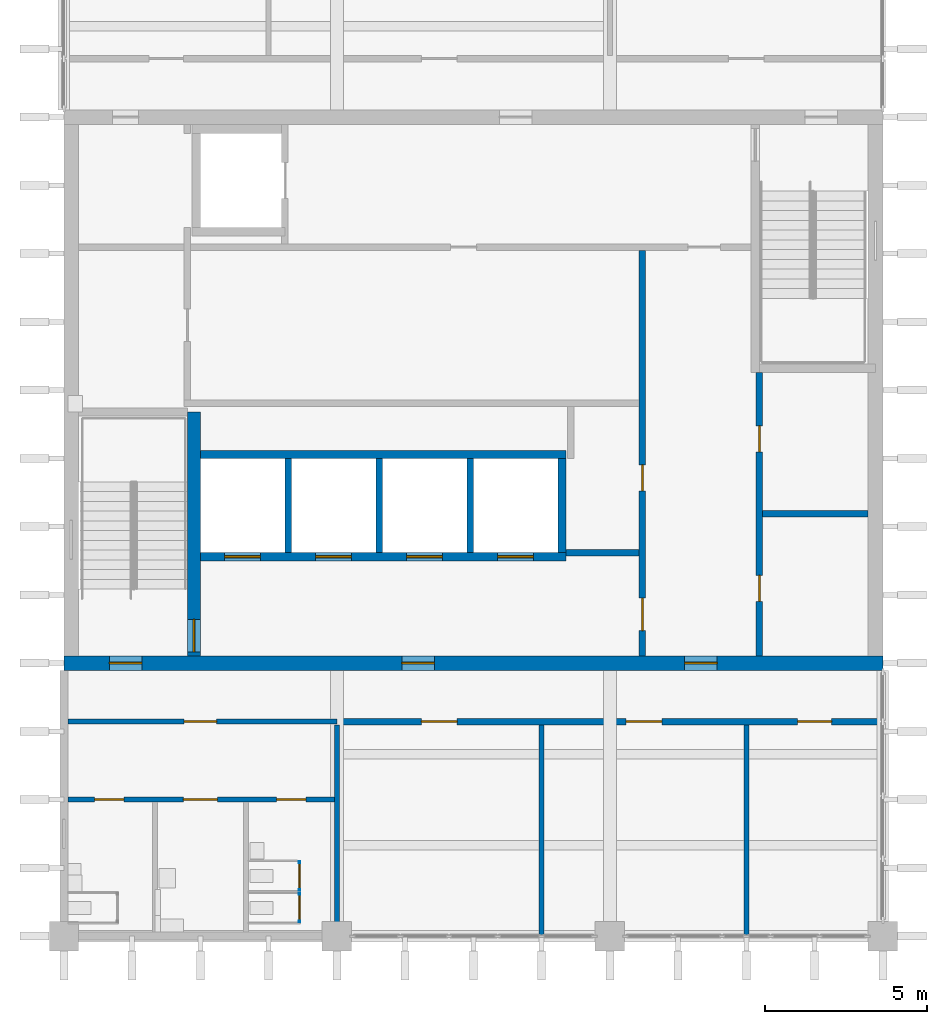
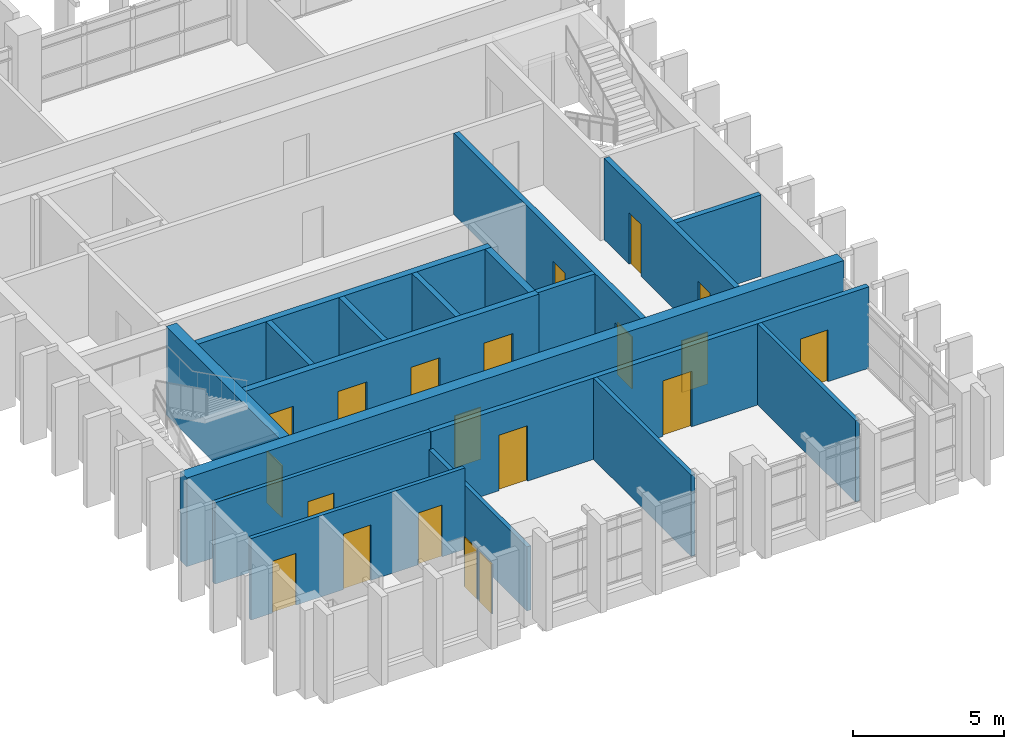
# One storey, part 7 of 11: 21 doors, 20 walls, 21 openings.
"""IFC4 building model written with IfcOpenShell, lengths in metres."""

from ifc_helpers import new_model, si_unit, direction, frame, frame_2d, origin, place, context, subcontext, project, spatial, rectangle, extrude, material, layer, layer_set, type_object, element, fill, save


model = new_model("IFC4")

# Units and contexts
model_context = context("Model", 3, precision=1e-05, world=origin(), true_north=direction((0.0, 1.0)))
body_context = subcontext(model_context, "Body", "Model", "MODEL_VIEW")
ifc_project = project(units=[si_unit("LENGTHUNIT", "METRE"), si_unit("AREAUNIT", "SQUARE_METRE"), si_unit("VOLUMEUNIT", "CUBIC_METRE"), si_unit("PLANEANGLEUNIT", "RADIAN"), si_unit("MASSUNIT", "GRAM", prefix="KILO")], contexts=[model_context])

# Site, building, storey
site_placement = place(None, origin())
site = spatial("IfcSite", under=ifc_project, at=site_placement, CompositionType="ELEMENT")
building_placement = place(site_placement, origin())
building = spatial("IfcBuilding", under=site, at=building_placement, Name="Rulbaag Community and Learning Centre", CompositionType="ELEMENT")
storey_placement = place(building_placement, frame((0.0, 0.0, 32.39990234375)))
storey = spatial("IfcBuildingStorey", under=building, at=storey_placement, Name="L08", CompositionType="ELEMENT", Elevation=32.39990234375)

# Wall, opening, door
ifc_material_1 = material(Name="High pressure laminate", Category="wood")
ifc_layer_1 = layer(ifc_material_1, 0.0400390625)
ifc_layer_set_1 = layer_set([ifc_layer_1], Name="CP-40")
wall_type_1 = type_object("IfcWallType", Name="CP-40", PredefinedType="PARTITIONING", material=ifc_layer_set_1)
wall_1_placement = place(storey_placement, frame((150.050048828125, 84.419921875, 0.0), z_axis=(0.0, 0.0, 1.0), x_axis=(0.0, 1.0, 0.0)))
wall_1 = element("IfcWall", 1, at=wall_1_placement, inside=storey, type_object=wall_type_1, Name="Cubicle partition", PredefinedType="PARTITIONING", context=body_context, shape_type="SweptSolid", body=[
    extrude(rectangle(XDim=0.900146484375, YDim=0.0400390625, at=frame_2d((0.4501953125, 0.0))), origin(), (0.0, 0.0, 1.0), 2.0),
])
opening_1_placement = place(wall_1_placement, frame((0.050048828125, 0.0, 0.0)))
opening_1 = element("IfcOpeningElement", 2, at=opening_1_placement, cuts=wall_1, Name="Opening L08-D013", PredefinedType="OPENING", context=body_context, shape_type="SweptSolid", body=[
    extrude(rectangle(XDim=0.800048828125, YDim=2.0, at=frame_2d((0.39990234375, 1.0))), frame((0.0, 0.030029296875, 0.0), z_axis=(0.0, -1.0, 0.0), x_axis=(1.0, 0.0, 0.0)), (0.0, 0.0, 1.0), 0.06005859375),
])
door_type_1 = type_object("IfcDoorType", Name="DC-80", OperationType="SINGLE_SWING_LEFT", PredefinedType="DOOR", material=ifc_material_1)
door_1_placement = place(opening_1_placement, origin())
door_1 = element("IfcDoor", 3, at=door_1_placement, inside=storey, type_object=door_type_1, Name="Cubicle door", OperationType="SINGLE_SWING_LEFT", OverallHeight=2.0, OverallWidth=0.800048828125, PredefinedType="DOOR", context=body_context, shape_type="SweptSolid", body=[
    extrude(rectangle(XDim=0.800048828125, YDim=2.0, at=frame_2d((0.39990234375, 1.0))), frame((0.0, 0.019775390625, 0.0), z_axis=(0.0, -1.0, 0.0), x_axis=(1.0, 0.0, 0.0)), (0.0, 0.0, 1.0), 0.03955078125),
])
fill(opening_1, door_1)

wall_2_placement = place(storey_placement, frame((150.050048828125, 85.39990234375, 0.0), z_axis=(0.0, 0.0, 1.0), x_axis=(0.0, 1.0, 0.0)))
wall_2 = element("IfcWall", 4, at=wall_2_placement, inside=storey, type_object=wall_type_1, Name="Cubicle partition", PredefinedType="PARTITIONING", context=body_context, shape_type="SweptSolid", body=[
    extrude(rectangle(XDim=0.900146484375, YDim=0.0400390625, at=frame_2d((0.4501953125, 0.0))), origin(), (0.0, 0.0, 1.0), 2.0),
])
opening_2_placement = place(wall_2_placement, frame((0.050048828125, 0.0, 0.0)))
opening_2 = element("IfcOpeningElement", 5, at=opening_2_placement, cuts=wall_2, Name="Opening L08-D014", PredefinedType="OPENING", context=body_context, shape_type="SweptSolid", body=[
    extrude(rectangle(XDim=0.800048828125, YDim=2.0, at=frame_2d((0.39990234375, 1.0))), frame((0.0, 0.030029296875, 0.0), z_axis=(0.0, -1.0, 0.0), x_axis=(1.0, 0.0, 0.0)), (0.0, 0.0, 1.0), 0.06005859375),
])
door_2_placement = place(opening_2_placement, origin())
door_2 = element("IfcDoor", 6, at=door_2_placement, inside=storey, type_object=door_type_1, Name="Cubicle door", OperationType="SINGLE_SWING_LEFT", OverallHeight=2.0, OverallWidth=0.800048828125, PredefinedType="DOOR", context=body_context, shape_type="SweptSolid", body=[
    extrude(rectangle(XDim=0.800048828125, YDim=2.0, at=frame_2d((0.39990234375, 1.0))), frame((0.0, 0.019775390625, 0.0), z_axis=(0.0, -1.0, 0.0), x_axis=(1.0, 0.0, 0.0)), (0.0, 0.0, 1.0), 0.03955078125),
])
fill(opening_2, door_2)

# Wall, openings, doors
ifc_material_2 = material(Name="Concrete blockwork", Category="masonry")
ifc_layer_2 = layer(ifc_material_2, 0.199951171875)
ifc_layer_set_2 = layer_set([ifc_layer_2], Name="FW-200 FIRE WALL 200")
wall_type_2 = type_object("IfcWallType", Name="FW-200 FIRE WALL 200", PredefinedType="SOLIDWALL", material=ifc_layer_set_2)
wall_3_placement = place(storey_placement, frame((151.199951171875, 90.60009765625, 0.0), z_axis=(0.0, 0.0, 1.0), x_axis=(1.0, 0.0, 0.0)))
wall_3 = element("IfcWall", 7, at=wall_3_placement, inside=storey, type_object=wall_type_2, Name="Fire wall L08 3", PredefinedType="SOLIDWALL", context=body_context, shape_type="SweptSolid", body=[
    extrude(rectangle(XDim=16.800048828125, YDim=0.199951171875, at=frame_2d((8.39990234375, 0.0))), origin(), (0.0, 0.0, 1.0), 3.300048828125),
])
opening_3_placement = place(wall_3_placement, frame((2.60009765625, 0.0, 0.0)))
opening_3 = element("IfcOpeningElement", 8, at=opening_3_placement, cuts=wall_3, Name="Opening L08-D018", PredefinedType="OPENING", context=body_context, shape_type="SweptSolid", body=[
    extrude(rectangle(XDim=1.10009765625, YDim=2.25, at=frame_2d((0.550048828125, 1.125))), frame((0.0, 0.10986328125, 0.0), z_axis=(0.0, -1.0, 0.0), x_axis=(1.0, 0.0, 0.0)), (0.0, 0.0, 1.0), 0.219970703125),
])
opening_4_placement = place(wall_3_placement, frame((8.89990234375, 0.0, 0.0)))
opening_4 = element("IfcOpeningElement", 9, at=opening_4_placement, cuts=wall_3, Name="Opening L08-D025", PredefinedType="OPENING", context=body_context, shape_type="SweptSolid", body=[
    extrude(rectangle(XDim=1.10009765625, YDim=2.25, at=frame_2d((0.550048828125, 1.125))), frame((0.0, 0.10986328125, 0.0), z_axis=(0.0, -1.0, 0.0), x_axis=(1.0, 0.0, 0.0)), (0.0, 0.0, 1.0), 0.219970703125),
])
opening_5_placement = place(wall_3_placement, frame((14.175048828125, 0.0, 0.0)))
opening_5 = element("IfcOpeningElement", 10, at=opening_5_placement, cuts=wall_3, Name="Opening L08-D032", PredefinedType="OPENING", context=body_context, shape_type="SweptSolid", body=[
    extrude(rectangle(XDim=1.050048828125, YDim=2.10009765625, at=frame_2d((0.52490234375, 1.050048828125))), frame((0.0, 0.10986328125, 0.0), z_axis=(0.0, -1.0, 0.0), x_axis=(1.0, 0.0, 0.0)), (0.0, 0.0, 1.0), 0.219970703125),
])
ifc_material_3 = material(Name="Timber", Category="wood")
door_type_2 = type_object("IfcDoorType", Name="D-1100 OFFICE SUITE ENTRANCE DOOR 1100 x 2250", OperationType="SINGLE_SWING_LEFT", PredefinedType="DOOR", material=ifc_material_3)
door_3_placement = place(opening_3_placement, origin())
door_3 = element("IfcDoor", 11, at=door_3_placement, inside=storey, type_object=door_type_2, Name="Door L08-D018", OperationType="SINGLE_SWING_LEFT", OverallHeight=2.25, OverallWidth=1.10009765625, PredefinedType="DOOR", context=body_context, shape_type="SweptSolid", body=[
    extrude(rectangle(XDim=1.10009765625, YDim=2.25, at=frame_2d((0.550048828125, 1.125))), frame((0.0, 0.02490234375, 0.0), z_axis=(0.0, -1.0, 0.0), x_axis=(1.0, 0.0, 0.0)), (0.0, 0.0, 1.0), 0.050048828125),
])
fill(opening_3, door_3)
door_4_placement = place(opening_4_placement, origin())
door_4 = element("IfcDoor", 12, at=door_4_placement, inside=storey, type_object=door_type_2, Name="Door L08-D025", OperationType="SINGLE_SWING_RIGHT", OverallHeight=2.25, OverallWidth=1.10009765625, PredefinedType="DOOR", context=body_context, shape_type="SweptSolid", body=[
    extrude(rectangle(XDim=1.10009765625, YDim=2.25, at=frame_2d((0.550048828125, 1.125))), frame((0.0, 0.02490234375, 0.0), z_axis=(0.0, -1.0, 0.0), x_axis=(1.0, 0.0, 0.0)), (0.0, 0.0, 1.0), 0.050048828125),
])
fill(opening_4, door_4)
door_type_3 = type_object("IfcDoorType", Name="FD-1050 GLAZED MEETING ROOM FIRE DOOR 1050 x 2100", OperationType="SINGLE_SWING_LEFT", PredefinedType="DOOR", material=ifc_material_3)
door_5_placement = place(opening_5_placement, origin())
door_5 = element("IfcDoor", 13, at=door_5_placement, inside=storey, type_object=door_type_3, Name="Door L08-D032", OperationType="SINGLE_SWING_RIGHT", OverallHeight=2.10009765625, OverallWidth=1.050048828125, PredefinedType="DOOR", context=body_context, shape_type="SweptSolid", body=[
    extrude(rectangle(XDim=1.050048828125, YDim=2.10009765625, at=frame_2d((0.52490234375, 1.050048828125))), frame((0.0, 0.02490234375, 0.0), z_axis=(0.0, -1.0, 0.0), x_axis=(1.0, 0.0, 0.0)), (0.0, 0.0, 1.0), 0.050048828125),
])
fill(opening_5, door_5)

# Walls
wall_4_placement = place(storey_placement, frame((158.25, 95.800048828125, 0.0), z_axis=(0.0, 0.0, 1.0), x_axis=(1.0, 0.0, 0.0)))
element("IfcWall", 14, at=wall_4_placement, inside=storey, type_object=wall_type_2, Name="Fire wall L08 5", PredefinedType="SOLIDWALL", context=body_context, shape_type="SweptSolid", body=[
    extrude(rectangle(XDim=2.25, YDim=0.199951171875, at=frame_2d((1.125, 0.0))), origin(), (0.0, 0.0, 1.0), 3.300048828125),
])
wall_5_placement = place(storey_placement, frame((164.300048828125, 97.0, 0.0), z_axis=(0.0, 0.0, 1.0), x_axis=(1.0, 0.0, 0.0)))
element("IfcWall", 15, at=wall_5_placement, inside=storey, type_object=wall_type_2, Name="Fire wall L08 6", PredefinedType="SOLIDWALL", context=body_context, shape_type="SweptSolid", body=[
    extrude(rectangle(XDim=3.25, YDim=0.199951171875, at=frame_2d((1.625, 0.0))), origin(), (0.0, 0.0, 1.0), 3.300048828125),
])

# Wall, openings, doors
wall_6_placement = place(storey_placement, frame((160.60009765625, 92.625, 0.0), z_axis=(0.0, 0.0, 1.0), x_axis=(0.0, 1.0, 0.0)))
wall_6 = element("IfcWall", 16, at=wall_6_placement, inside=storey, type_object=wall_type_2, Name="Fire wall L08 21", PredefinedType="SOLIDWALL", context=body_context, shape_type="SweptSolid", body=[
    extrude(rectangle(XDim=12.47509765625, YDim=0.199951171875, at=frame_2d((6.237548828125, 0.0))), origin(), (0.0, 0.0, 1.0), 3.300048828125),
])
opening_6_placement = place(wall_6_placement, frame((5.074951171875, 0.0, 0.0)))
opening_6 = element("IfcOpeningElement", 17, at=opening_6_placement, cuts=wall_6, Name="Opening L08-D024", PredefinedType="OPENING", context=body_context, shape_type="SweptSolid", body=[
    extrude(rectangle(XDim=0.800048828125, YDim=2.10009765625, at=frame_2d((0.39990234375, 1.050048828125))), frame((0.0, 0.10986328125, 0.0), z_axis=(0.0, -1.0, 0.0), x_axis=(1.0, 0.0, 0.0)), (0.0, 0.0, 1.0), 0.219970703125),
])
opening_7_placement = place(wall_6_placement, frame((0.77490234375, 0.0, 0.0)))
opening_7 = element("IfcOpeningElement", 18, at=opening_7_placement, cuts=wall_6, Name="Opening L08-D023", PredefinedType="OPENING", context=body_context, shape_type="SweptSolid", body=[
    extrude(rectangle(XDim=1.0, YDim=2.10009765625, at=frame_2d((0.5, 1.050048828125))), frame((0.0, 0.10986328125, 0.0), z_axis=(0.0, -1.0, 0.0), x_axis=(1.0, 0.0, 0.0)), (0.0, 0.0, 1.0), 0.219970703125),
])
ifc_material_4 = material(Name="Galvanised steel", Category="steel")
door_type_4 = type_object("IfcDoorType", Name="FD-1000 FIRE DOOR 1000 x 2100", OperationType="SINGLE_SWING_LEFT", PredefinedType="DOOR", material=ifc_material_4)
door_6_placement = place(opening_7_placement, origin())
door_6 = element("IfcDoor", 19, at=door_6_placement, inside=storey, type_object=door_type_4, Name="Door L08-D023", OperationType="SINGLE_SWING_LEFT", OverallHeight=2.10009765625, OverallWidth=1.0, PredefinedType="DOOR", context=body_context, shape_type="SweptSolid", body=[
    extrude(rectangle(XDim=1.0, YDim=2.10009765625, at=frame_2d((0.5, 1.050048828125))), frame((0.0, 0.02490234375, 0.0), z_axis=(0.0, -1.0, 0.0), x_axis=(1.0, 0.0, 0.0)), (0.0, 0.0, 1.0), 0.050048828125),
])
fill(opening_7, door_6)
door_type_5 = type_object("IfcDoorType", Name="FDR-800 RISER FIRE DOOR 800 x 2100", OperationType="SINGLE_SWING_LEFT", PredefinedType="DOOR", material=ifc_material_4)
door_7_placement = place(opening_6_placement, origin())
door_7 = element("IfcDoor", 20, at=door_7_placement, inside=storey, type_object=door_type_5, Name="Riser door L08-D021", OperationType="SINGLE_SWING_RIGHT", OverallHeight=2.10009765625, OverallWidth=0.800048828125, PredefinedType="DOOR", context=body_context, shape_type="SweptSolid", body=[
    extrude(rectangle(XDim=0.800048828125, YDim=2.10009765625, at=frame_2d((0.39990234375, 1.050048828125))), frame((0.0, 0.02490234375, 0.0), z_axis=(0.0, -1.0, 0.0), x_axis=(1.0, 0.0, 0.0)), (0.0, 0.0, 1.0), 0.050048828125),
])
fill(opening_6, door_7)

wall_7_placement = place(storey_placement, frame((164.199951171875, 92.625, 0.0), z_axis=(0.0, 0.0, 1.0), x_axis=(0.0, 1.0, 0.0)))
wall_7 = element("IfcWall", 21, at=wall_7_placement, inside=storey, type_object=wall_type_2, Name="Fire wall L08 23", PredefinedType="SOLIDWALL", context=body_context, shape_type="SweptSolid", body=[
    extrude(rectangle(XDim=8.72509765625, YDim=0.199951171875, at=frame_2d((4.362548828125, 0.0))), origin(), (0.0, 0.0, 1.0), 3.300048828125),
])
opening_8_placement = place(wall_7_placement, frame((1.675048828125, 0.0, 0.0)))
opening_8 = element("IfcOpeningElement", 22, at=opening_8_placement, cuts=wall_7, Name="Opening L08-D030", PredefinedType="OPENING", context=body_context, shape_type="SweptSolid", body=[
    extrude(rectangle(XDim=0.800048828125, YDim=2.10009765625, at=frame_2d((0.39990234375, 1.050048828125))), frame((0.0, 0.10986328125, 0.0), z_axis=(0.0, -1.0, 0.0), x_axis=(1.0, 0.0, 0.0)), (0.0, 0.0, 1.0), 0.219970703125),
])
opening_9_placement = place(wall_7_placement, frame((6.27490234375, 0.0, 0.0)))
opening_9 = element("IfcOpeningElement", 23, at=opening_9_placement, cuts=wall_7, Name="Opening L08-D031", PredefinedType="OPENING", context=body_context, shape_type="SweptSolid", body=[
    extrude(rectangle(XDim=0.800048828125, YDim=2.10009765625, at=frame_2d((0.39990234375, 1.050048828125))), frame((0.0, 0.10986328125, 0.0), z_axis=(0.0, -1.0, 0.0), x_axis=(1.0, 0.0, 0.0)), (0.0, 0.0, 1.0), 0.219970703125),
])
door_8_placement = place(opening_8_placement, origin())
door_8 = element("IfcDoor", 24, at=door_8_placement, inside=storey, type_object=door_type_5, Name="Riser door L08-D019", OperationType="SINGLE_SWING_LEFT", OverallHeight=2.10009765625, OverallWidth=0.800048828125, PredefinedType="DOOR", context=body_context, shape_type="SweptSolid", body=[
    extrude(rectangle(XDim=0.800048828125, YDim=2.10009765625, at=frame_2d((0.39990234375, 1.050048828125))), frame((0.0, 0.02490234375, 0.0), z_axis=(0.0, -1.0, 0.0), x_axis=(1.0, 0.0, 0.0)), (0.0, 0.0, 1.0), 0.050048828125),
])
fill(opening_8, door_8)
door_9_placement = place(opening_9_placement, origin())
door_9 = element("IfcDoor", 25, at=door_9_placement, inside=storey, type_object=door_type_5, Name="Riser door L08-D020", OperationType="SINGLE_SWING_RIGHT", OverallHeight=2.10009765625, OverallWidth=0.800048828125, PredefinedType="DOOR", context=body_context, shape_type="SweptSolid", body=[
    extrude(rectangle(XDim=0.800048828125, YDim=2.10009765625, at=frame_2d((0.39990234375, 1.050048828125))), frame((0.0, 0.02490234375, 0.0), z_axis=(0.0, -1.0, 0.0), x_axis=(1.0, 0.0, 0.0)), (0.0, 0.0, 1.0), 0.050048828125),
])
fill(opening_9, door_9)

ifc_layer_3 = layer(ifc_material_2, 0.14990234375)
ifc_layer_set_3 = layer_set([ifc_layer_3], Name="IP-150 PARTITION 150")
wall_type_3 = type_object("IfcWallType", Name="IP-150 PARTITION 150", PredefinedType="PARTITIONING", material=ifc_layer_set_3)
wall_8_placement = place(storey_placement, frame((142.925048828125, 88.199951171875, 0.0), z_axis=(0.0, 0.0, 1.0), x_axis=(1.0, 0.0, 0.0)))
wall_8 = element("IfcWall", 26, at=wall_8_placement, inside=storey, type_object=wall_type_3, Name="Partition L08 1", PredefinedType="PARTITIONING", context=body_context, shape_type="SweptSolid", body=[
    extrude(rectangle(XDim=8.199951171875, YDim=0.14990234375, at=frame_2d((4.10009765625, 0.0))), origin(), (0.0, 0.0, 1.0), 3.300048828125),
])
opening_10_placement = place(wall_8_placement, frame((0.824951171875, 0.0, 0.0)))
opening_10 = element("IfcOpeningElement", 27, at=opening_10_placement, cuts=wall_8, Name="Opening L08-D001", PredefinedType="OPENING", context=body_context, shape_type="SweptSolid", body=[
    extrude(rectangle(XDim=0.89990234375, YDim=2.10009765625, at=frame_2d((0.449951171875, 1.050048828125))), frame((0.0, 0.0849609375, 0.0), z_axis=(0.0, -1.0, 0.0), x_axis=(1.0, 0.0, 0.0)), (0.0, 0.0, 1.0), 0.169921875),
])
opening_11_placement = place(wall_8_placement, frame((3.550048828125, 0.0, 0.0)))
opening_11 = element("IfcOpeningElement", 28, at=opening_11_placement, cuts=wall_8, Name="Opening L08-D008", PredefinedType="OPENING", context=body_context, shape_type="SweptSolid", body=[
    extrude(rectangle(XDim=1.050048828125, YDim=2.25, at=frame_2d((0.52490234375, 1.125))), frame((0.0, 0.0849609375, 0.0), z_axis=(0.0, -1.0, 0.0), x_axis=(1.0, 0.0, 0.0)), (0.0, 0.0, 1.0), 0.169921875),
])
opening_12_placement = place(wall_8_placement, frame((6.425048828125, 0.0, 0.0)))
opening_12 = element("IfcOpeningElement", 29, at=opening_12_placement, cuts=wall_8, Name="Opening L08-D012", PredefinedType="OPENING", context=body_context, shape_type="SweptSolid", body=[
    extrude(rectangle(XDim=0.89990234375, YDim=2.10009765625, at=frame_2d((0.449951171875, 1.050048828125))), frame((0.0, 0.0849609375, 0.0), z_axis=(0.0, -1.0, 0.0), x_axis=(1.0, 0.0, 0.0)), (0.0, 0.0, 1.0), 0.169921875),
])
door_type_6 = type_object("IfcDoorType", Name="D-1050 ACCESSIBLE TOILET DOOR 1050 x 2250", OperationType="SINGLE_SWING_LEFT", PredefinedType="DOOR", material=ifc_material_3)
door_10_placement = place(opening_11_placement, origin())
door_10 = element("IfcDoor", 30, at=door_10_placement, inside=storey, type_object=door_type_6, Name="Door L08-D008", OperationType="SINGLE_SWING_LEFT", OverallHeight=2.25, OverallWidth=1.050048828125, PredefinedType="DOOR", context=body_context, shape_type="SweptSolid", body=[
    extrude(rectangle(XDim=1.050048828125, YDim=2.25, at=frame_2d((0.52490234375, 1.125))), frame((0.0, 0.02490234375, 0.0), z_axis=(0.0, -1.0, 0.0), x_axis=(1.0, 0.0, 0.0)), (0.0, 0.0, 1.0), 0.050048828125),
])
fill(opening_11, door_10)
door_type_7 = type_object("IfcDoorType", Name="DW-900 TOILET DOOR 900 x 2100", OperationType="SINGLE_SWING_LEFT", PredefinedType="DOOR", material=ifc_material_3)
door_11_placement = place(opening_10_placement, origin())
door_11 = element("IfcDoor", 31, at=door_11_placement, inside=storey, type_object=door_type_7, Name="Door L08-D001", OperationType="SINGLE_SWING_LEFT", OverallHeight=2.10009765625, OverallWidth=0.89990234375, PredefinedType="DOOR", context=body_context, shape_type="SweptSolid", body=[
    extrude(rectangle(XDim=0.89990234375, YDim=2.10009765625, at=frame_2d((0.449951171875, 1.050048828125))), frame((0.0, 0.02490234375, 0.0), z_axis=(0.0, -1.0, 0.0), x_axis=(1.0, 0.0, 0.0)), (0.0, 0.0, 1.0), 0.050048828125),
])
fill(opening_10, door_11)
door_12_placement = place(opening_12_placement, origin())
door_12 = element("IfcDoor", 32, at=door_12_placement, inside=storey, type_object=door_type_7, Name="Door L08-D012", OperationType="SINGLE_SWING_RIGHT", OverallHeight=2.10009765625, OverallWidth=0.89990234375, PredefinedType="DOOR", context=body_context, shape_type="SweptSolid", body=[
    extrude(rectangle(XDim=0.89990234375, YDim=2.10009765625, at=frame_2d((0.449951171875, 1.050048828125))), frame((0.0, 0.02490234375, 0.0), z_axis=(0.0, -1.0, 0.0), x_axis=(1.0, 0.0, 0.0)), (0.0, 0.0, 1.0), 0.050048828125),
])
fill(opening_12, door_12)

# Wall, opening, door
wall_9_placement = place(storey_placement, frame((142.925048828125, 90.60009765625, 0.0), z_axis=(0.0, 0.0, 1.0), x_axis=(1.0, 0.0, 0.0)))
wall_9 = element("IfcWall", 33, at=wall_9_placement, inside=storey, type_object=wall_type_3, Name="Partition L08 2", PredefinedType="PARTITIONING", context=body_context, shape_type="SweptSolid", body=[
    extrude(rectangle(XDim=8.27490234375, YDim=0.14990234375, at=frame_2d((4.137451171875, 0.0))), origin(), (0.0, 0.0, 1.0), 3.300048828125),
])
opening_13_placement = place(wall_9_placement, frame((3.574951171875, 0.0, 0.0)))
opening_13 = element("IfcOpeningElement", 34, at=opening_13_placement, cuts=wall_9, Name="Opening L08-D009", PredefinedType="OPENING", context=body_context, shape_type="SweptSolid", body=[
    extrude(rectangle(XDim=1.0, YDim=2.10009765625, at=frame_2d((0.5, 1.050048828125))), frame((0.0, 0.0849609375, 0.0), z_axis=(0.0, -1.0, 0.0), x_axis=(1.0, 0.0, 0.0)), (0.0, 0.0, 1.0), 0.169921875),
])
door_type_8 = type_object("IfcDoorType", Name="D-1000 DOOR 1000 x 2100", OperationType="SINGLE_SWING_LEFT", PredefinedType="DOOR", material=ifc_material_3)
door_13_placement = place(opening_13_placement, origin())
door_13 = element("IfcDoor", 35, at=door_13_placement, inside=storey, type_object=door_type_8, Name="Door L08-D009", OperationType="SINGLE_SWING_RIGHT", OverallHeight=2.10009765625, OverallWidth=1.0, PredefinedType="DOOR", context=body_context, shape_type="SweptSolid", body=[
    extrude(rectangle(XDim=1.0, YDim=2.10009765625, at=frame_2d((0.5, 1.050048828125))), frame((0.0, 0.02490234375, 0.0), z_axis=(0.0, -1.0, 0.0), x_axis=(1.0, 0.0, 0.0)), (0.0, 0.0, 1.0), 0.050048828125),
])
fill(opening_13, door_13)

# Walls
wall_10_placement = place(storey_placement, frame((151.199951171875, 84.0, 0.0), z_axis=(0.0, 0.0, 1.0), x_axis=(0.0, 1.0, 0.0)))
element("IfcWall", 36, at=wall_10_placement, inside=storey, type_object=wall_type_3, Name="Partition L08 17", PredefinedType="PARTITIONING", context=body_context, shape_type="SweptSolid", body=[
    extrude(rectangle(XDim=6.5, YDim=0.14990234375, at=frame_2d((3.25, 0.0))), origin(), (0.0, 0.0, 1.0), 2.60009765625),
])
for number, where, z_axis, x_axis, name in (
    (37, (157.5, 84.0, 0.0), (0.0, 0.0, 1.0), (0.0, 1.0, 0.0), "Partition L08 18"),
    (38, (163.800048828125, 84.0, 0.0), (0.0, 0.0, 1.0), (0.0, 1.0, 0.0), "Partition L08 22"),
):
    element("IfcWall", number, at=place(storey_placement, frame(where, z_axis=z_axis, x_axis=x_axis)), inside=storey, type_object=wall_type_3, Name=name, PredefinedType="PARTITIONING", context=body_context, shape_type="SweptSolid", body=[
        extrude(rectangle(XDim=6.5, YDim=0.14990234375, at=frame_2d((3.25, 0.0))), origin(), (0.0, 0.0, 1.0), 3.300048828125),
    ])

# Wall, openings, doors
ifc_material_5 = material(Name="Concrete M60", Category="concrete")
ifc_layer_4 = layer(ifc_material_5, 0.449951171875)
ifc_layer_set_4 = layer_set([ifc_layer_4], Name="W1 Core wall 450 Concrete M60")
wall_type_4 = type_object("IfcWallType", Name="W1 Core wall 450 Concrete M60", PredefinedType="SHEAR", material=ifc_layer_set_4)
wall_11_placement = place(storey_placement, frame((142.800048828125, 92.39990234375, -0.25), z_axis=(0.0, 0.0, 1.0), x_axis=(1.0, 0.0, 0.0)))
wall_11 = element("IfcWall", 39, at=wall_11_placement, inside=storey, type_object=wall_type_4, Name="WL-CORE-S-L08", PredefinedType="SHEAR", context=body_context, shape_type="SweptSolid", body=[
    extrude(rectangle(XDim=25.199951171875, YDim=0.449951171875, at=frame_2d((12.60009765625, 0.0))), origin(), (0.0, 0.0, 1.0), 3.60009765625),
])
opening_14_placement = place(wall_11_placement, frame((1.39990234375, 0.0, 0.25)))
opening_14 = element("IfcOpeningElement", 40, at=opening_14_placement, cuts=wall_11, Name="Opening L08-D003", PredefinedType="OPENING", context=body_context, shape_type="SweptSolid", body=[
    extrude(rectangle(XDim=1.0, YDim=2.10009765625, at=frame_2d((0.5, 1.050048828125))), frame((0.0, 0.23486328125, 0.0), z_axis=(0.0, -1.0, 0.0), x_axis=(1.0, 0.0, 0.0)), (0.0, 0.0, 1.0), 0.469970703125),
])
opening_15_placement = place(wall_11_placement, frame((19.10009765625, 0.0, 0.25)))
opening_15 = element("IfcOpeningElement", 41, at=opening_15_placement, cuts=wall_11, Name="Opening L08-D026", PredefinedType="OPENING", context=body_context, shape_type="SweptSolid", body=[
    extrude(rectangle(XDim=1.0, YDim=2.10009765625, at=frame_2d((0.5, 1.050048828125))), frame((0.0, 0.23486328125, 0.0), z_axis=(0.0, -1.0, 0.0), x_axis=(1.0, 0.0, 0.0)), (0.0, 0.0, 1.0), 0.469970703125),
])
opening_16_placement = place(wall_11_placement, frame((10.39990234375, 0.0, 0.25)))
opening_16 = element("IfcOpeningElement", 42, at=opening_16_placement, cuts=wall_11, Name="Opening L08-D016", PredefinedType="OPENING", context=body_context, shape_type="SweptSolid", body=[
    extrude(rectangle(XDim=1.0, YDim=2.10009765625, at=frame_2d((0.5, 1.050048828125))), frame((0.0, 0.23486328125, 0.0), z_axis=(0.0, -1.0, 0.0), x_axis=(1.0, 0.0, 0.0)), (0.0, 0.0, 1.0), 0.469970703125),
])
door_14_placement = place(opening_15_placement, origin())
door_14 = element("IfcDoor", 43, at=door_14_placement, inside=storey, type_object=door_type_8, Name="Door L08-D026", OperationType="SINGLE_SWING_LEFT", OverallHeight=2.10009765625, OverallWidth=1.0, PredefinedType="DOOR", context=body_context, shape_type="SweptSolid", body=[
    extrude(rectangle(XDim=1.0, YDim=2.10009765625, at=frame_2d((0.5, 1.050048828125))), frame((0.0, 0.02490234375, 0.0), z_axis=(0.0, -1.0, 0.0), x_axis=(1.0, 0.0, 0.0)), (0.0, 0.0, 1.0), 0.050048828125),
])
fill(opening_15, door_14)
door_15_placement = place(opening_14_placement, origin())
door_15 = element("IfcDoor", 44, at=door_15_placement, inside=storey, type_object=door_type_4, Name="Door L08-D003", OperationType="SINGLE_SWING_RIGHT", OverallHeight=2.10009765625, OverallWidth=1.0, PredefinedType="DOOR", context=body_context, shape_type="SweptSolid", body=[
    extrude(rectangle(XDim=1.0, YDim=2.10009765625, at=frame_2d((0.5, 1.050048828125))), frame((0.0, 0.02490234375, 0.0), z_axis=(0.0, -1.0, 0.0), x_axis=(1.0, 0.0, 0.0)), (0.0, 0.0, 1.0), 0.050048828125),
])
fill(opening_14, door_15)
door_16_placement = place(opening_16_placement, origin())
door_16 = element("IfcDoor", 45, at=door_16_placement, inside=storey, type_object=door_type_4, Name="Door L08-D016", OperationType="SINGLE_SWING_RIGHT", OverallHeight=2.10009765625, OverallWidth=1.0, PredefinedType="DOOR", context=body_context, shape_type="SweptSolid", body=[
    extrude(rectangle(XDim=1.0, YDim=2.10009765625, at=frame_2d((0.5, 1.050048828125))), frame((0.0, 0.02490234375, 0.0), z_axis=(0.0, -1.0, 0.0), x_axis=(1.0, 0.0, 0.0)), (0.0, 0.0, 1.0), 0.050048828125),
])
fill(opening_16, door_16)

ifc_material_6 = material(Name="Concrete M40", Category="concrete")
ifc_layer_5 = layer(ifc_material_6, 0.25)
ifc_layer_set_5 = layer_set([ifc_layer_5], Name="W5 Shaft wall 250 Concrete M40")
wall_type_5 = type_object("IfcWallType", Name="W5 Shaft wall 250 Concrete M40", PredefinedType="SHEAR", material=ifc_layer_set_5)
wall_12_placement = place(storey_placement, frame((147.0, 95.675048828125, -0.25), z_axis=(0.0, 0.0, 1.0), x_axis=(1.0, 0.0, 0.0)))
wall_12 = element("IfcWall", 46, at=wall_12_placement, inside=storey, type_object=wall_type_5, Name="WL-LP-S-L08", PredefinedType="SHEAR", context=body_context, shape_type="SweptSolid", body=[
    extrude(rectangle(XDim=11.25, YDim=0.25, at=frame_2d((5.625, 0.0))), origin(), (0.0, 0.0, 1.0), 3.60009765625),
])
opening_17_placement = place(wall_12_placement, frame((0.75, 0.0, 0.25)))
opening_17 = element("IfcOpeningElement", 47, at=opening_17_placement, cuts=wall_12, Name="Opening L08-D010", PredefinedType="OPENING", context=body_context, shape_type="SweptSolid", body=[
    extrude(rectangle(XDim=1.10009765625, YDim=2.10009765625, at=frame_2d((0.550048828125, 1.050048828125))), frame((0.0, 0.135009765625, 0.0), z_axis=(0.0, -1.0, 0.0), x_axis=(1.0, 0.0, 0.0)), (0.0, 0.0, 1.0), 0.27001953125),
])
opening_18_placement = place(wall_12_placement, frame((3.550048828125, 0.0, 0.25)))
opening_18 = element("IfcOpeningElement", 48, at=opening_18_placement, cuts=wall_12, Name="Opening L08-D015", PredefinedType="OPENING", context=body_context, shape_type="SweptSolid", body=[
    extrude(rectangle(XDim=1.10009765625, YDim=2.10009765625, at=frame_2d((0.550048828125, 1.050048828125))), frame((0.0, 0.135009765625, 0.0), z_axis=(0.0, -1.0, 0.0), x_axis=(1.0, 0.0, 0.0)), (0.0, 0.0, 1.0), 0.27001953125),
])
opening_19_placement = place(wall_12_placement, frame((6.35009765625, 0.0, 0.25)))
opening_19 = element("IfcOpeningElement", 49, at=opening_19_placement, cuts=wall_12, Name="Opening L08-D017", PredefinedType="OPENING", context=body_context, shape_type="SweptSolid", body=[
    extrude(rectangle(XDim=1.10009765625, YDim=2.10009765625, at=frame_2d((0.550048828125, 1.050048828125))), frame((0.0, 0.135009765625, 0.0), z_axis=(0.0, -1.0, 0.0), x_axis=(1.0, 0.0, 0.0)), (0.0, 0.0, 1.0), 0.27001953125),
])
opening_20_placement = place(wall_12_placement, frame((9.14990234375, 0.0, 0.25)))
opening_20 = element("IfcOpeningElement", 50, at=opening_20_placement, cuts=wall_12, Name="Opening L08-D021", PredefinedType="OPENING", context=body_context, shape_type="SweptSolid", body=[
    extrude(rectangle(XDim=1.10009765625, YDim=2.10009765625, at=frame_2d((0.550048828125, 1.050048828125))), frame((0.0, 0.135009765625, 0.0), z_axis=(0.0, -1.0, 0.0), x_axis=(1.0, 0.0, 0.0)), (0.0, 0.0, 1.0), 0.27001953125),
])
ifc_material_7 = material(Name="Stainless steel grade 304", Category="steel")
door_type_9 = type_object("IfcDoorType", Name="LD-1100 LIFT LANDING DOOR 1100 x 2100", OperationType="SLIDING_TO_LEFT", PredefinedType="DOOR", material=ifc_material_7)
door_17_placement = place(opening_17_placement, origin())
door_17 = element("IfcDoor", 51, at=door_17_placement, inside=storey, type_object=door_type_9, Name="Lift landing door LP1 L08", OperationType="SLIDING_TO_LEFT", OverallHeight=2.10009765625, OverallWidth=1.10009765625, PredefinedType="DOOR", context=body_context, shape_type="SweptSolid", body=[
    extrude(rectangle(XDim=1.10009765625, YDim=2.10009765625, at=frame_2d((0.550048828125, 1.050048828125))), frame((0.0, 0.02490234375, 0.0), z_axis=(0.0, -1.0, 0.0), x_axis=(1.0, 0.0, 0.0)), (0.0, 0.0, 1.0), 0.050048828125),
])
fill(opening_17, door_17)
door_18_placement = place(opening_18_placement, origin())
door_18 = element("IfcDoor", 52, at=door_18_placement, inside=storey, type_object=door_type_9, Name="Lift landing door LP2 L08", OperationType="SLIDING_TO_LEFT", OverallHeight=2.10009765625, OverallWidth=1.10009765625, PredefinedType="DOOR", context=body_context, shape_type="SweptSolid", body=[
    extrude(rectangle(XDim=1.10009765625, YDim=2.10009765625, at=frame_2d((0.550048828125, 1.050048828125))), frame((0.0, 0.02490234375, 0.0), z_axis=(0.0, -1.0, 0.0), x_axis=(1.0, 0.0, 0.0)), (0.0, 0.0, 1.0), 0.050048828125),
])
fill(opening_18, door_18)
door_19_placement = place(opening_19_placement, origin())
door_19 = element("IfcDoor", 53, at=door_19_placement, inside=storey, type_object=door_type_9, Name="Lift landing door LP3 L08", OperationType="SLIDING_TO_LEFT", OverallHeight=2.10009765625, OverallWidth=1.10009765625, PredefinedType="DOOR", context=body_context, shape_type="SweptSolid", body=[
    extrude(rectangle(XDim=1.10009765625, YDim=2.10009765625, at=frame_2d((0.550048828125, 1.050048828125))), frame((0.0, 0.02490234375, 0.0), z_axis=(0.0, -1.0, 0.0), x_axis=(1.0, 0.0, 0.0)), (0.0, 0.0, 1.0), 0.050048828125),
])
fill(opening_19, door_19)
door_20_placement = place(opening_20_placement, origin())
door_20 = element("IfcDoor", 54, at=door_20_placement, inside=storey, type_object=door_type_9, Name="Lift landing door LP4 L08", OperationType="SLIDING_TO_LEFT", OverallHeight=2.10009765625, OverallWidth=1.10009765625, PredefinedType="DOOR", context=body_context, shape_type="SweptSolid", body=[
    extrude(rectangle(XDim=1.10009765625, YDim=2.10009765625, at=frame_2d((0.550048828125, 1.050048828125))), frame((0.0, 0.02490234375, 0.0), z_axis=(0.0, -1.0, 0.0), x_axis=(1.0, 0.0, 0.0)), (0.0, 0.0, 1.0), 0.050048828125),
])
fill(opening_20, door_20)

# Walls
wall_13_placement = place(storey_placement, frame((147.0, 98.824951171875, -0.25), z_axis=(0.0, 0.0, 1.0), x_axis=(1.0, 0.0, 0.0)))
element("IfcWall", 55, at=wall_13_placement, inside=storey, type_object=wall_type_5, Name="WL-LP-N-L08", PredefinedType="SHEAR", context=body_context, shape_type="SweptSolid", body=[
    extrude(rectangle(XDim=11.25, YDim=0.25, at=frame_2d((5.625, 0.0))), origin(), (0.0, 0.0, 1.0), 3.60009765625),
])
wall_14_placement = place(storey_placement, frame((158.125, 95.800048828125, -0.25), z_axis=(0.0, 0.0, 1.0), x_axis=(0.0, 1.0, 0.0)))
element("IfcWall", 56, at=wall_14_placement, inside=storey, type_object=wall_type_5, Name="WL-LP-E-L08", PredefinedType="SHEAR", context=body_context, shape_type="SweptSolid", body=[
    extrude(rectangle(XDim=2.89990234375, YDim=0.25, at=frame_2d((1.449951171875, 0.0))), origin(), (0.0, 0.0, 1.0), 3.60009765625),
])
ifc_layer_6 = layer(ifc_material_6, 0.199951171875)
ifc_layer_set_6 = layer_set([ifc_layer_6], Name="W6 Shaft divider 200 Concrete M40")
wall_type_6 = type_object("IfcWallType", Name="W6 Shaft divider 200 Concrete M40", PredefinedType="SHEAR", material=ifc_layer_set_6)
for number, where, z_axis, x_axis, name in (
    (57, (149.699951171875, 95.800048828125, -0.25), (0.0, 0.0, 1.0), (0.0, 1.0, 0.0), "WL-LP-D1-L08"),
    (58, (152.5, 95.800048828125, -0.25), (0.0, 0.0, 1.0), (0.0, 1.0, 0.0), "WL-LP-D2-L08"),
    (59, (155.300048828125, 95.800048828125, -0.25), (0.0, 0.0, 1.0), (0.0, 1.0, 0.0), "WL-LP-D3-L08"),
):
    element("IfcWall", number, at=place(storey_placement, frame(where, z_axis=z_axis, x_axis=x_axis)), inside=storey, type_object=wall_type_6, Name=name, PredefinedType="SHEAR", context=body_context, shape_type="SweptSolid", body=[
        extrude(rectangle(XDim=2.89990234375, YDim=0.199951171875, at=frame_2d((1.449951171875, 0.0))), origin(), (0.0, 0.0, 1.0), 3.60009765625),
    ])

# Wall, opening, door
ifc_layer_7 = layer(ifc_material_6, 0.39990234375)
ifc_layer_set_7 = layer_set([ifc_layer_7], Name="W7 Stair wall 400 Concrete M40")
wall_type_7 = type_object("IfcWallType", Name="W7 Stair wall 400 Concrete M40", PredefinedType="SHEAR", material=ifc_layer_set_7)
wall_15_placement = place(storey_placement, frame((146.800048828125, 92.625, -0.25), z_axis=(0.0, 0.0, 1.0), x_axis=(0.0, 1.0, 0.0)))
wall_15 = element("IfcWall", 60, at=wall_15_placement, inside=storey, type_object=wall_type_7, Name="WL-ST1-E-L08", PredefinedType="SHEAR", context=body_context, shape_type="SweptSolid", body=[
    extrude(rectangle(XDim=7.5, YDim=0.39990234375, at=frame_2d((3.75, 0.0))), origin(), (0.0, 0.0, 1.0), 3.60009765625),
])
opening_21_placement = place(wall_15_placement, frame((0.125, 0.0, 0.25)))
opening_21 = element("IfcOpeningElement", 61, at=opening_21_placement, cuts=wall_15, Name="Opening L08-D007", PredefinedType="OPENING", context=body_context, shape_type="SweptSolid", body=[
    extrude(rectangle(XDim=1.0, YDim=2.10009765625, at=frame_2d((0.5, 1.050048828125))), frame((0.0, 0.2099609375, 0.0), z_axis=(0.0, -1.0, 0.0), x_axis=(1.0, 0.0, 0.0)), (0.0, 0.0, 1.0), 0.419921875),
])
door_21_placement = place(opening_21_placement, origin())
door_21 = element("IfcDoor", 62, at=door_21_placement, inside=storey, type_object=door_type_4, Name="Door L08-D007", OperationType="SINGLE_SWING_RIGHT", OverallHeight=2.10009765625, OverallWidth=1.0, PredefinedType="DOOR", context=body_context, shape_type="SweptSolid", body=[
    extrude(rectangle(XDim=1.0, YDim=2.10009765625, at=frame_2d((0.5, 1.050048828125))), frame((0.0, 0.02490234375, 0.0), z_axis=(0.0, -1.0, 0.0), x_axis=(1.0, 0.0, 0.0)), (0.0, 0.0, 1.0), 0.050048828125),
])
fill(opening_21, door_21)

save(model, "model.ifc")
